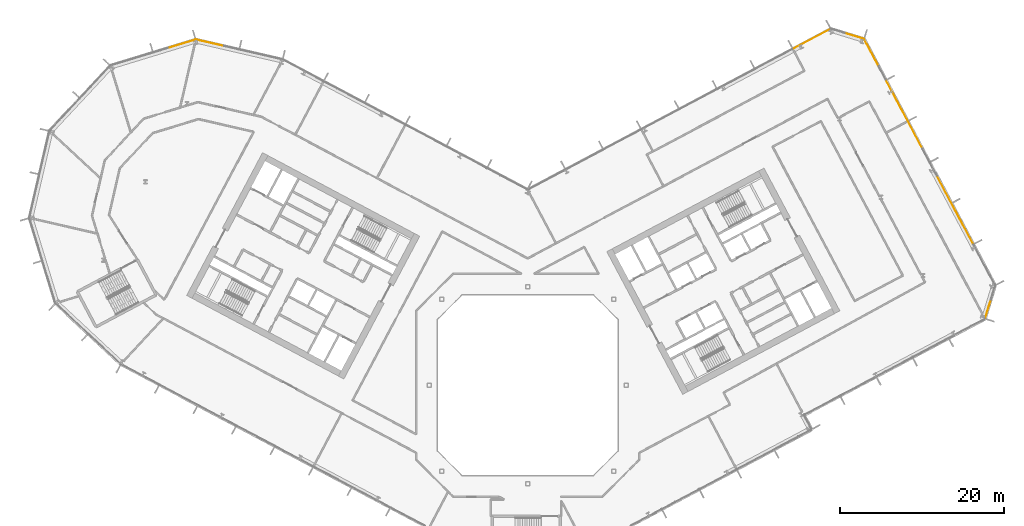
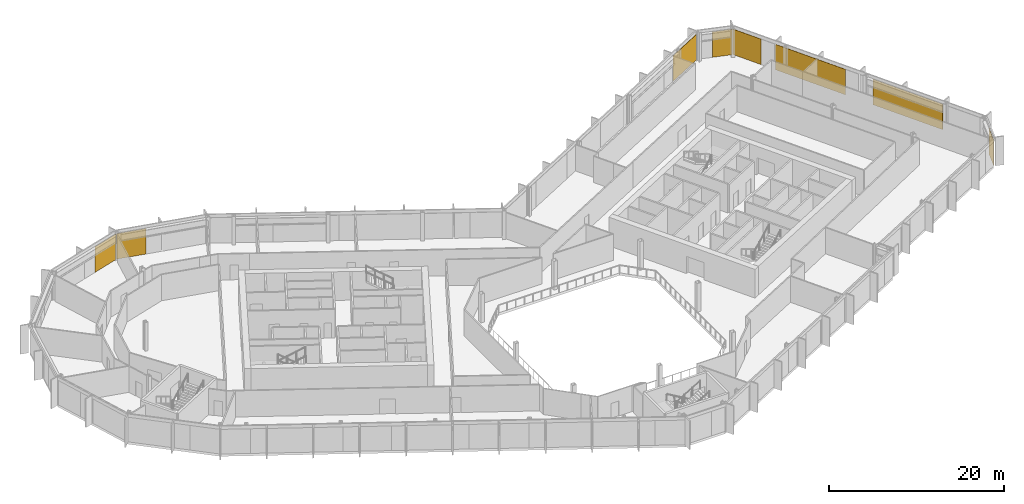
# One storey, part 28 of 28: 8 coverings, 6 elements without a shape of their own.
"""IFC4 building model written with IfcOpenShell, lengths in metres."""

import ifcopenshell
import ifcopenshell.guid

model = None  # the IFC model being written
_history = None  # IfcOwnerHistory: only IFC2X3 demands one
_inside = {}  # id of a spatial element -> (the spatial element, [elements in it])
_under = {}  # id of a project, library or spatial element -> (it, [spatial elements below it])
_declared = {}  # id of a project -> (the project, [libraries it declares])
_typed = {}  # id of a type object -> (the type object, [elements of that type])
_made_of = {}  # id of a material, layer set ... -> (it, [elements and type objects made of it])


def new_model(schema):
    """Start an empty IFC model of exactly this schema.

    Asked for "IFC4X3", IfcOpenShell would pick the latest addendum, in which some entities
    have other attributes; the version numbers below select the first issue.
    IFC2X3 requires an IfcOwnerHistory on every rooted entity: one is made here for all.
    """
    global model, _history
    if schema == "IFC4X3":
        model = ifcopenshell.file(schema_version=(4, 3, 0, 0))
    else:
        model = ifcopenshell.file(schema=schema)
    _inside.clear()
    _under.clear()
    _declared.clear()
    _typed.clear()
    _made_of.clear()
    _history = None
    if model.schema == "IFC2X3":
        org = make("IfcOrganization", Name="unknown")
        user = make(
            "IfcPersonAndOrganization",
            ThePerson=make("IfcPerson", FamilyName="unknown"),
            TheOrganization=org,
        )
        app = make(
            "IfcApplication",
            ApplicationDeveloper=org,
            Version="unknown",
            ApplicationFullName="unknown",
            ApplicationIdentifier="unknown",
        )
        _history = make(
            "IfcOwnerHistory",
            OwningUser=user,
            OwningApplication=app,
            ChangeAction="ADDED",
            CreationDate=0,
        )
    return model


def make(cls, **values):
    """One entity of the class cls with the attributes given. An attribute that is None is left unset."""
    return model.create_entity(
        cls, **{name: value for name, value in values.items() if value is not None}
    )


def rooted(cls, **values):
    """An entity with a GlobalId (a new one), such as an element, a storey or a relation."""
    return make(cls, GlobalId=ifcopenshell.guid.new(), OwnerHistory=_history, **values)


def si_unit(unit_type, name, prefix=None):
    """IfcSIUnit, for example si_unit("LENGTHUNIT", "METRE", prefix="MILLI")."""
    return make("IfcSIUnit", UnitType=unit_type, Prefix=prefix, Name=name)


def assignment(units):
    """IfcUnitAssignment: the units of a project."""
    return None if units is None else make("IfcUnitAssignment", Units=units)


def point(xyz):
    """IfcCartesianPoint."""
    return None if xyz is None else make("IfcCartesianPoint", Coordinates=xyz)


def direction(xyz):
    """IfcDirection."""
    return None if xyz is None else make("IfcDirection", DirectionRatios=xyz)


def frame(location, z_axis=None, x_axis=None):
    """IfcAxis2Placement3D, a coordinate frame: its origin and axes. An axis left out is left unset."""
    return make(
        "IfcAxis2Placement3D",
        Location=point(location),
        Axis=direction(z_axis),
        RefDirection=direction(x_axis),
    )


def frame_2d(location, x_axis=None):
    """IfcAxis2Placement2D, a coordinate frame in the plane: its origin and x axis."""
    return make(
        "IfcAxis2Placement2D", Location=point(location), RefDirection=direction(x_axis)
    )


def origin():
    """The frame at (0, 0, 0) with its axes left unset."""
    return frame((0.0, 0.0, 0.0))


def origin_2d():
    """The frame at (0, 0) in the plane with its x axis left unset."""
    return frame_2d((0.0, 0.0))


def place(relative_to, where):
    """IfcLocalPlacement: puts the frame where relative to a parent placement (None: the world)."""
    return make(
        "IfcLocalPlacement", PlacementRelTo=relative_to, RelativePlacement=where
    )


def context(
    kind, dimensions, precision=None, world=None, true_north=None, identifier=None
):
    """IfcGeometricRepresentationContext, for example the 3D "Model" context."""
    return make(
        "IfcGeometricRepresentationContext",
        ContextIdentifier=identifier,
        ContextType=kind,
        CoordinateSpaceDimension=dimensions,
        Precision=precision,
        WorldCoordinateSystem=world,
        TrueNorth=true_north,
    )


def subcontext(parent, identifier, kind, view, scale=None):
    """IfcGeometricRepresentationSubContext, for example "Body" below "Model"."""
    return make(
        "IfcGeometricRepresentationSubContext",
        ContextIdentifier=identifier,
        ContextType=kind,
        ParentContext=parent,
        TargetScale=scale,
        TargetView=view,
    )


def project(units=None, contexts=None):
    """IfcProject with its units and contexts."""
    return rooted(
        "IfcProject",
        Name="project",
        RepresentationContexts=contexts,
        UnitsInContext=assignment(units),
    )


def spatial(cls, under=None, at=None, **own):
    """A site, building, storey or space (cls), placed at a placement, below another one or the project."""
    s = rooted(cls, ObjectPlacement=at, **own)
    if under is not None:
        _under.setdefault(under.id(), (under, []))[1].append(s)
    return s


def profile(cls, at=None, kind="AREA", **sizes):
    """A parametric profile (cls). Its sizes go by their IFC names, for example OverallWidth=200.0."""
    return make(cls, ProfileType=kind, Position=at, **sizes)


def rectangle(**sizes):
    """IfcRectangleProfileDef."""
    return profile("IfcRectangleProfileDef", **sizes)


def extrude(swept, where, along, depth):
    """IfcExtrudedAreaSolid: the profile swept, set in the frame where, extruded along a direction by depth."""
    return make(
        "IfcExtrudedAreaSolid",
        SweptArea=swept,
        Position=where,
        ExtrudedDirection=direction(along),
        Depth=depth,
    )


def shape(context_of_items, identifier, shape_type, items):
    """IfcShapeRepresentation: the items that make up one representation, for example the "Body"."""
    return make(
        "IfcShapeRepresentation",
        ContextOfItems=context_of_items,
        RepresentationIdentifier=identifier,
        RepresentationType=shape_type,
        Items=items,
    )


def material(Name=None, Category=None):
    """IfcMaterial."""
    return make("IfcMaterial", Name=Name, Category=Category)


def layer(
    of_material, thickness, ventilated=None, Name=None, Category=None, Priority=None
):
    """IfcMaterialLayer: one layer of a wall or slab, of a material (None: an air gap)."""
    return make(
        "IfcMaterialLayer",
        Material=of_material,
        LayerThickness=thickness,
        IsVentilated=ventilated,
        Name=Name,
        Category=Category,
        Priority=Priority,
    )


def layer_set(layers, Name=None):
    """IfcMaterialLayerSet."""
    return make("IfcMaterialLayerSet", MaterialLayers=layers, LayerSetName=Name)


def made_of(thing, what):
    """Note that an element or type object is made of a material, layer set ...; save() writes the relation."""
    if what is not None:
        _made_of.setdefault(what.id(), (what, []))[1].append(thing)
    return thing


def type_object(cls, material=None, **own):
    """A type object (cls), such as IfcWallType, which elements share."""
    return made_of(rooted(cls, **own), material)


def element(
    cls,
    number,
    at=None,
    inside=None,
    cuts=None,
    type_object=None,
    material=None,
    context=None,
    identifier="Body",
    shape_type=None,
    held_by="IfcProductDefinitionShape",
    body=None,
    shapes=None,
    **own,
):
    """One element of the class cls, such as IfcWall. Its Tag is "e" and its number.

    at: its placement. inside: the storey or other place that contains it. cuts: it is an
    opening in that element (IfcRelVoidsElement). A single representation is given by context,
    identifier, shape_type and body (its items); several are given by shapes. held_by: the class
    of the entity that holds the representations. save() writes the other relations.
    """
    e = rooted(cls, Tag="e%d" % number, ObjectPlacement=at, **own)
    if body is not None:
        shapes = [shape(context, identifier, shape_type, body)]
    if shapes is not None:
        e.Representation = make(held_by, Representations=shapes)
    if inside is not None:
        _inside.setdefault(inside.id(), (inside, []))[1].append(e)
    if cuts is not None:
        rooted(
            "IfcRelVoidsElement", RelatingBuildingElement=cuts, RelatedOpeningElement=e
        )
    if type_object is not None:
        _typed.setdefault(type_object.id(), (type_object, []))[1].append(e)
    return made_of(e, material)


def aggregate(whole, parts):
    """IfcRelAggregates: a whole, such as a stair, and the parts it consists of."""
    return rooted("IfcRelAggregates", RelatingObject=whole, RelatedObjects=parts)


def save(model, path):
    """Write the relations noted so far, then the file.

    IfcRelAggregates (storeys below a building ...), IfcRelContainedInSpatialStructure (elements
    in a storey), IfcRelDefinesByType, IfcRelAssociatesMaterial and IfcRelDeclares: one each for
    every whole, place, type object, material and project.
    """
    for whole, parts in _under.values():
        aggregate(whole, parts)
    for where, things in _inside.values():
        rooted(
            "IfcRelContainedInSpatialStructure",
            RelatedElements=things,
            RelatingStructure=where,
        )
    for kind, things in _typed.values():
        rooted("IfcRelDefinesByType", RelatedObjects=things, RelatingType=kind)
    for what, things in _made_of.values():
        rooted("IfcRelAssociatesMaterial", RelatedObjects=things, RelatingMaterial=what)
    for by, libraries in _declared.values():
        rooted("IfcRelDeclares", RelatingContext=by, RelatedDefinitions=libraries)
    model.write(path)


model = new_model("IFC4")

# Units and contexts
model_context = context("Model", 3, precision=1e-05, world=origin(), true_north=direction((0.0, 1.0)))
body_context = subcontext(model_context, "Body", "Model", "MODEL_VIEW")
ifc_project = project(units=[si_unit("LENGTHUNIT", "METRE"), si_unit("AREAUNIT", "SQUARE_METRE"), si_unit("VOLUMEUNIT", "CUBIC_METRE"), si_unit("PLANEANGLEUNIT", "RADIAN"), si_unit("MASSUNIT", "GRAM", prefix="KILO")], contexts=[model_context])

# Site, building, storey
site_placement = place(None, origin())
site = spatial("IfcSite", under=ifc_project, at=site_placement, CompositionType="ELEMENT")
building_placement = place(site_placement, origin())
building = spatial("IfcBuilding", under=site, at=building_placement, Name="Cormorant Relay Tower", CompositionType="ELEMENT")
storey_placement = place(building_placement, frame((0.0, 0.0, 166.199951171875)))
storey = spatial("IfcBuildingStorey", under=building, at=storey_placement, Name="L35", CompositionType="ELEMENT", Elevation=166.199951171875)

# Curtain wall, covering
ifc_material_1 = material(Name="Aluminium 6063-T6 anodised bronze", Category="aluminium")
ifc_layer_1 = layer(ifc_material_1, 0.199951171875)
ifc_layer_set_1 = layer_set([ifc_layer_1], Name="CW1 unitised bronze curtain wall with vertical fins")
curtain_wall_type = type_object("IfcCurtainWallType", Name="CW1 unitised bronze curtain wall with vertical fins", PredefinedType="NOTDEFINED", material=ifc_layer_set_1)
curtain_wall_1_placement = place(storey_placement, origin())
curtain_wall_1 = element("IfcCurtainWall", 1, at=curtain_wall_1_placement, inside=storey, type_object=curtain_wall_type, Name="CW1 curtain wall 5", PredefinedType="NOTDEFINED")
ifc_material_2 = material(Name="Pale bronze anodised aluminium insulated panel", Category="aluminium")
ifc_layer_2 = layer(ifc_material_2, 0.0400390625)
ifc_layer_set_2 = layer_set([ifc_layer_2], Name="CW1 pale bronze insulated panel 40")
covering_type = type_object("IfcCoveringType", Name="CW1 pale bronze insulated panel 40", PredefinedType="CLADDING", material=ifc_layer_set_2)
covering_1_placement = place(storey_placement, frame((56.103515625, 9.303955078125, 0.0), z_axis=(0.0, 0.0, 1.0), x_axis=(0.292371704723, 0.956304755963, 0.0)))
covering_1 = element("IfcCovering", 2, at=covering_1_placement, type_object=covering_type, Name="CW1 panel S00", PredefinedType="CLADDING", context=body_context, shape_type="SweptSolid", body=[
    extrude(rectangle(XDim=2.36767578125, YDim=0.0400390625, at=origin_2d()), origin(), (0.0, 0.0, 1.0), 3.550048828125),
])
aggregate(curtain_wall_1, [covering_1])

# Curtain wall, coverings
curtain_wall_2_placement = place(storey_placement, origin())
curtain_wall_2 = element("IfcCurtainWall", 3, at=curtain_wall_2_placement, inside=storey, type_object=curtain_wall_type, Name="CW1 curtain wall 6", PredefinedType="NOTDEFINED")
covering_2_placement = place(storey_placement, frame((52.076171875, 21.384765625, 0.0), z_axis=(0.0, 0.0, 1.0), x_axis=(-0.469471562786, 0.882947592859, 0.0)))
covering_2 = element("IfcCovering", 4, at=covering_2_placement, type_object=covering_type, Name="CW1 panel S01", PredefinedType="CLADDING", context=body_context, shape_type="SweptSolid", body=[
    extrude(rectangle(XDim=9.38330078125, YDim=0.0400390625, at=origin_2d()), origin(), (0.0, 0.0, 1.0), 3.550048828125),
])
covering_3_placement = place(storey_placement, frame((45.910400390625, 32.980712890625, 0.0), z_axis=(0.0, 0.0, 1.0), x_axis=(-0.469471562786, 0.882947592859, 0.0)))
covering_3 = element("IfcCovering", 5, at=covering_3_placement, type_object=covering_type, Name="CW1 panel S04", PredefinedType="CLADDING", context=body_context, shape_type="SweptSolid", body=[
    extrude(rectangle(XDim=9.38330078125, YDim=0.0400390625, at=origin_2d()), origin(), (0.0, 0.0, 1.0), 3.550048828125),
])
covering_4_placement = place(storey_placement, frame((41.90234375, 40.518798828125, 0.0), z_axis=(0.0, 0.0, 1.0), x_axis=(-0.469471562786, 0.882947592859, 0.0)))
covering_4 = element("IfcCovering", 6, at=covering_4_placement, type_object=covering_type, Name="CW1 panel S06", PredefinedType="CLADDING", context=body_context, shape_type="SweptSolid", body=[
    extrude(rectangle(XDim=3.791748046875, YDim=0.0400390625, at=origin_2d()), origin(), (0.0, 0.0, 1.0), 3.550048828125),
])
aggregate(curtain_wall_2, [covering_2, covering_3, covering_4])

# Curtain wall, covering
curtain_wall_3_placement = place(storey_placement, origin())
curtain_wall_3 = element("IfcCurtainWall", 7, at=curtain_wall_3_placement, inside=storey, type_object=curtain_wall_type, Name="CW1 curtain wall 7", PredefinedType="NOTDEFINED")
covering_5_placement = place(storey_placement, frame((39.796630859375, 42.570556640625, 0.0), z_axis=(0.0, 0.0, 1.0), x_axis=(-0.956304755963, 0.292371704723, 0.0)))
covering_5 = element("IfcCovering", 8, at=covering_5_placement, type_object=covering_type, Name="CW1 panel S00", PredefinedType="CLADDING", context=body_context, shape_type="SweptSolid", body=[
    extrude(rectangle(XDim=2.36767578125, YDim=0.0400390625, at=origin_2d()), origin(), (0.0, 0.0, 1.0), 3.550048828125),
])
aggregate(curtain_wall_3, [covering_5])

curtain_wall_4_placement = place(storey_placement, origin())
curtain_wall_4 = element("IfcCurtainWall", 9, at=curtain_wall_4_placement, inside=storey, type_object=curtain_wall_type, Name="CW1 curtain wall 8", PredefinedType="NOTDEFINED")
covering_6_placement = place(storey_placement, frame((34.619384765625, 42.214111328125, 0.0), z_axis=(0.0, 0.0, 1.0), x_axis=(-0.882947592859, -0.469471562786, 0.0)))
covering_6 = element("IfcCovering", 10, at=covering_6_placement, type_object=covering_type, Name="CW1 panel S00", PredefinedType="CLADDING", context=body_context, shape_type="SweptSolid", body=[
    extrude(rectangle(XDim=5.079345703125, YDim=0.0400390625, at=origin_2d()), origin(), (0.0, 0.0, 1.0), 3.550048828125),
])
aggregate(curtain_wall_4, [covering_6])

curtain_wall_5_placement = place(storey_placement, origin())
curtain_wall_5 = element("IfcCurtainWall", 11, at=curtain_wall_5_placement, inside=storey, type_object=curtain_wall_type, Name="CW1 curtain wall 10", PredefinedType="NOTDEFINED")
covering_7_placement = place(storey_placement, frame((-38.7265625, 41.732421875, 0.0), z_axis=(0.0, 0.0, 1.0), x_axis=(-0.974370064785, 0.224951054344, 0.0)))
covering_7 = element("IfcCovering", 12, at=covering_7_placement, type_object=covering_type, Name="CW1 panel S02", PredefinedType="CLADDING", context=body_context, shape_type="SweptSolid", body=[
    extrude(rectangle(XDim=3.560302734375, YDim=0.0400390625, at=origin_2d()), origin(), (0.0, 0.0, 1.0), 3.550048828125),
])
aggregate(curtain_wall_5, [covering_7])

curtain_wall_6_placement = place(storey_placement, origin())
curtain_wall_6 = element("IfcCurtainWall", 13, at=curtain_wall_6_placement, inside=storey, type_object=curtain_wall_type, Name="CW1 curtain wall 11", PredefinedType="NOTDEFINED")
covering_8_placement = place(storey_placement, frame((-42.209716796875, 41.60107421875, 0.0), z_axis=(0.0, 0.0, 1.0), x_axis=(-0.956304755963, -0.292371704723, 0.0)))
covering_8 = element("IfcCovering", 14, at=covering_8_placement, type_object=covering_type, Name="CW1 panel S00", PredefinedType="CLADDING", context=body_context, shape_type="SweptSolid", body=[
    extrude(rectangle(XDim=3.485107421875, YDim=0.0400390625, at=origin_2d()), origin(), (0.0, 0.0, 1.0), 3.550048828125),
])
aggregate(curtain_wall_6, [covering_8])

save(model, "model.ifc")
